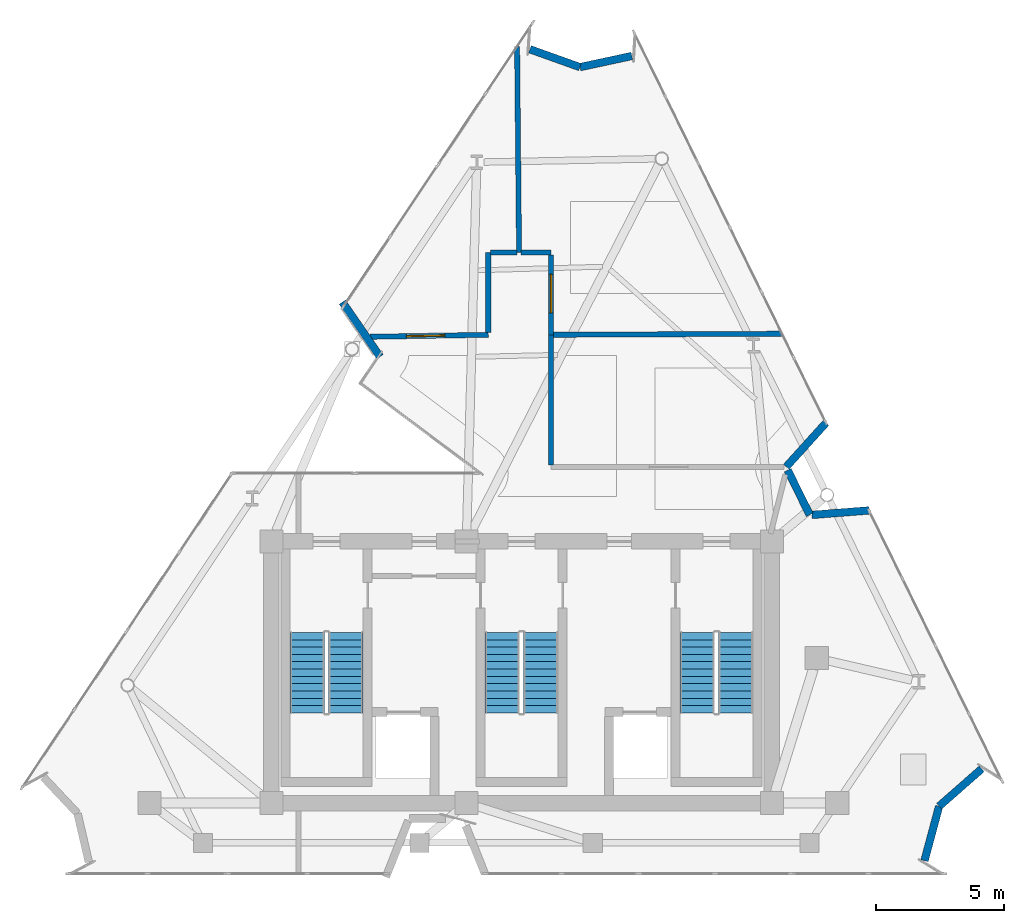
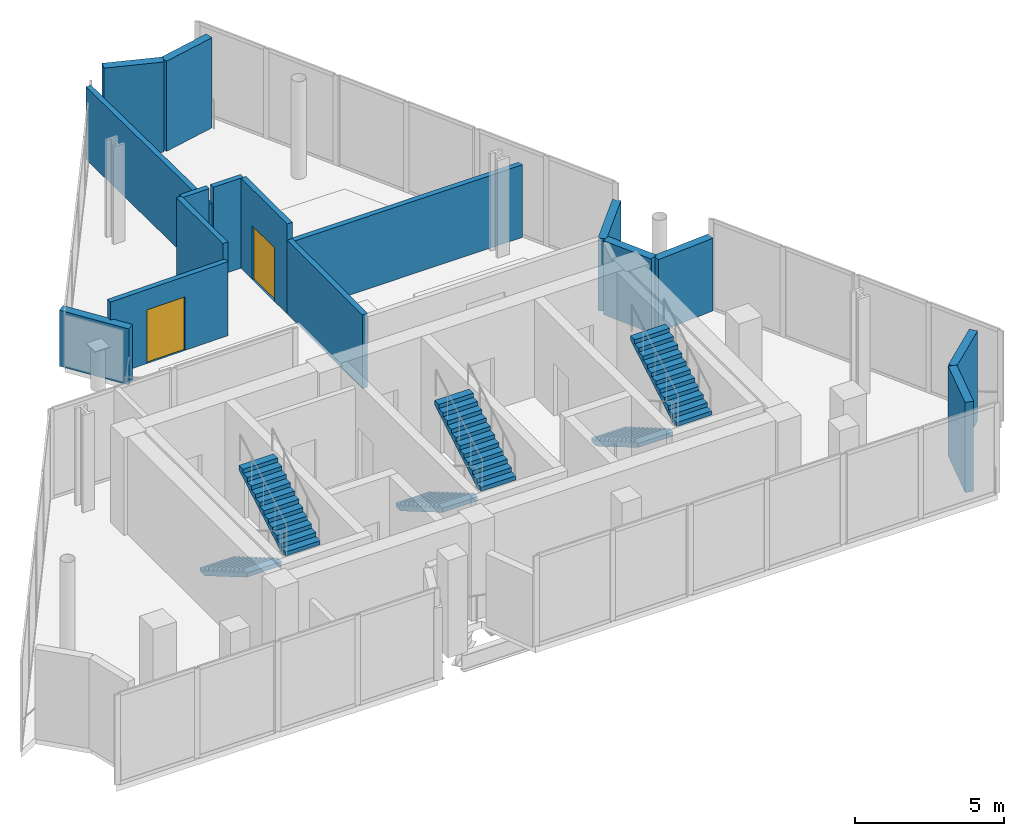
# One storey, part 7 of 9: 16 walls, 6 stair flights, 2 doors, 2 openings, 3 elements without a shape of their own.
"""IFC4 building model written with IfcOpenShell, lengths in metres."""

from ifc_helpers import new_model, si_unit, direction, frame, frame_2d, origin, place, context, subcontext, project, spatial, polyline, rectangle, outline, extrude, material, layer, layer_set, type_object, element, fill, aggregate, save


model = new_model("IFC4")

# Units and contexts
model_context = context("Model", 3, precision=1e-05, world=origin(), true_north=direction((0.0, 1.0)))
body_context = subcontext(model_context, "Body", "Model", "MODEL_VIEW")
ifc_project = project(units=[si_unit("LENGTHUNIT", "METRE"), si_unit("AREAUNIT", "SQUARE_METRE"), si_unit("VOLUMEUNIT", "CUBIC_METRE"), si_unit("PLANEANGLEUNIT", "RADIAN"), si_unit("MASSUNIT", "GRAM", prefix="KILO")], contexts=[model_context])

# Site, building, storey
site_placement = place(None, origin())
site = spatial("IfcSite", under=ifc_project, at=site_placement, CompositionType="ELEMENT")
building_placement = place(site_placement, origin())
building = spatial("IfcBuilding", under=site, at=building_placement, Name="Almagre Mirador Tower", CompositionType="ELEMENT")
storey_placement = place(building_placement, frame((0.0, 0.0, 314.5)))
storey = spatial("IfcBuildingStorey", under=building, at=storey_placement, Name="L81", CompositionType="ELEMENT", Elevation=314.5)

# Walls
ifc_material_1 = material(Name="Precast concrete C50/60", Category="concrete")
ifc_layer_1 = layer(ifc_material_1, 0.300048828125)
ifc_layer_set_1 = layer_set([ifc_layer_1], Name="Precast concrete C50/60")
wall_type_1 = type_object("IfcWallType", Name="WAL-EXT-300", PredefinedType="SOLIDWALL", material=ifc_layer_set_1)
wall_1_placement = place(storey_placement, frame((31.78271484375, 21.9453125, 0.0), z_axis=(0.0, 0.0, 1.0), x_axis=(-0.567505768613, 0.823369420486, 0.0)))
element("IfcWall", 1, at=wall_1_placement, inside=storey, type_object=wall_type_1, Name="L81 expressed almagre precast frame wall 01", PredefinedType="SOLIDWALL", context=body_context, shape_type="SweptSolid", body=[
    extrude(rectangle(XDim=2.586669921875, YDim=0.300048828125, at=frame_2d((1.29345703125, 0.0))), origin(), (0.0, 0.0, 1.0), 2.300048828125),
])
wall_2_placement = place(storey_placement, frame((37.6240234375, 33.927490234375, 0.0), z_axis=(0.0, 0.0, 1.0), x_axis=(0.941672407687, -0.336530944493, 0.0)))
element("IfcWall", 2, at=wall_2_placement, inside=storey, type_object=wall_type_1, Name="L81 expressed almagre precast frame wall 02", PredefinedType="SOLIDWALL", context=body_context, shape_type="SweptSolid", body=[
    extrude(rectangle(XDim=2.06689453125, YDim=0.300048828125, at=frame_2d((1.033447265625, 0.0))), origin(), (0.0, 0.0, 1.0), 3.699951171875),
])
wall_3_placement = place(storey_placement, frame((39.57568359375, 33.231689453125, 0.0), z_axis=(0.0, 0.0, 1.0), x_axis=(0.977608338725, 0.210432735227, 0.0)))
element("IfcWall", 3, at=wall_3_placement, inside=storey, type_object=wall_type_1, Name="L81 expressed almagre precast frame wall 03", PredefinedType="SOLIDWALL", context=body_context, shape_type="SweptSolid", body=[
    extrude(rectangle(XDim=2.06640625, YDim=0.300048828125, at=frame_2d((1.033203125, 0.0))), origin(), (0.0, 0.0, 1.0), 3.699951171875),
])
wall_4_placement = place(storey_placement, frame((49.160888671875, 19.36669921875, 0.0), z_axis=(0.0, 0.0, 1.0), x_axis=(-0.670816319877, -0.741623533193, 0.0)))
element("IfcWall", 4, at=wall_4_placement, inside=storey, type_object=wall_type_1, Name="L81 expressed almagre precast frame wall 04", PredefinedType="SOLIDWALL", context=body_context, shape_type="SweptSolid", body=[
    extrude(rectangle(XDim=2.306640625, YDim=0.300048828125, at=frame_2d((1.1533203125, 0.0))), origin(), (0.0, 0.0, 1.0), 2.98193359375),
])
wall_5_placement = place(storey_placement, frame((47.67138671875, 17.523681640625, 0.0), z_axis=(0.0, 0.0, 1.0), x_axis=(0.441367806259, -0.8973262838, 0.0)))
element("IfcWall", 5, at=wall_5_placement, inside=storey, type_object=wall_type_1, Name="L81 expressed almagre precast frame wall 05", PredefinedType="SOLIDWALL", context=body_context, shape_type="SweptSolid", body=[
    extrude(rectangle(XDim=1.94091796875, YDim=0.300048828125, at=frame_2d((0.970458984375, 0.0))), origin(), (0.0, 0.0, 1.0), 3.0400390625),
])
wall_6_placement = place(storey_placement, frame((48.612548828125, 15.782470703125, 0.0), z_axis=(0.0, 0.0, 1.0), x_axis=(0.996937541888, 0.078201902628, 0.0)))
element("IfcWall", 6, at=wall_6_placement, inside=storey, type_object=wall_type_1, Name="L81 expressed almagre precast frame wall 06", PredefinedType="SOLIDWALL", context=body_context, shape_type="SweptSolid", body=[
    extrude(rectangle(XDim=2.232177734375, YDim=0.300048828125, at=frame_2d((1.1162109375, 0.0))), origin(), (0.0, 0.0, 1.0), 2.98193359375),
])
wall_7_placement = place(storey_placement, frame((55.227294921875, 5.884033203125, 0.0), z_axis=(0.0, 0.0, 1.0), x_axis=(-0.751785184768, -0.659408095161, 0.0)))
element("IfcWall", 7, at=wall_7_placement, inside=storey, type_object=wall_type_1, Name="L81 expressed almagre precast frame wall 07", PredefinedType="SOLIDWALL", context=body_context, shape_type="SweptSolid", body=[
    extrude(rectangle(XDim=2.198974609375, YDim=0.300048828125, at=frame_2d((1.099609375, 0.0))), origin(), (0.0, 0.0, 1.0), 3.699951171875),
])
wall_8_placement = place(storey_placement, frame((53.5712890625, 4.42919921875, 0.0), z_axis=(0.0, 0.0, 1.0), x_axis=(-0.259846037112, -0.965650059285, 0.0)))
element("IfcWall", 8, at=wall_8_placement, inside=storey, type_object=wall_type_1, Name="L81 expressed almagre precast frame wall 08", PredefinedType="SOLIDWALL", context=body_context, shape_type="SweptSolid", body=[
    extrude(rectangle(XDim=2.198486328125, YDim=0.300048828125, at=frame_2d((1.09912109375, 0.0))), origin(), (0.0, 0.0, 1.0), 3.699951171875),
])
ifc_material_2 = material(Name="Gypsum acoustic stud partition", Category="other")
ifc_layer_2 = layer(ifc_material_2, 0.199951171875)
ifc_layer_set_2 = layer_set([ifc_layer_2], Name="Gypsum acoustic stud partition")
wall_type_2 = type_object("IfcWallType", Name="WAL-PRT-200-EI60", PredefinedType="PARTITIONING", material=ifc_layer_set_2)
wall_9_placement = place(storey_placement, frame((37.199951171875, 26.0, 0.0), z_axis=(0.0, 0.0, 1.0), x_axis=(-0.009442134329, 0.999955422056, 0.0)))
element("IfcWall", 9, at=wall_9_placement, inside=storey, type_object=wall_type_2, Name="L81 interior partition 003", PredefinedType="PARTITIONING", context=body_context, shape_type="SweptSolid", body=[
    extrude(rectangle(XDim=8.041259765625, YDim=0.199951171875, at=frame_2d((4.0205078125, 0.0))), origin(), (0.0, 0.0, 1.0), 2.97705078125),
])

# Wall, opening, door
wall_10_placement = place(storey_placement, frame((31.389892578125, 22.721923828125, 0.0), z_axis=(0.0, 0.0, 1.0), x_axis=(0.999856439671, 0.016944026939, 0.0)))
wall_10 = element("IfcWall", 10, at=wall_10_placement, inside=storey, type_object=wall_type_2, Name="L81 interior partition 004", PredefinedType="PARTITIONING", context=body_context, shape_type="SweptSolid", body=[
    extrude(rectangle(XDim=4.61083984375, YDim=0.199951171875, at=frame_2d((2.305419921875, 0.0))), origin(), (0.0, 0.0, 1.0), 3.034912109375),
])
opening_1_placement = place(wall_10_placement, frame((1.423828125, 0.0, 0.0)))
opening_1 = element("IfcOpeningElement", 11, at=opening_1_placement, cuts=wall_10, Name="Opening ID-04", PredefinedType="OPENING", context=body_context, shape_type="SweptSolid", body=[
    extrude(rectangle(XDim=1.5, YDim=2.199951171875, at=frame_2d((0.75, 1.10009765625))), frame((0.0, 0.110098, 0.0), z_axis=(0.0, -1.0, 0.0), x_axis=(1.0, 0.0, 0.0)), (0.0, 0.0, 1.0), 0.219951),
])
ifc_material_3 = material(Name="Fire-rated hollow steel", Category="steel")
door_type = type_object("IfcDoorType", Name="DOR-FD60-1500X2200", OperationType="DOUBLE_DOOR_SINGLE_SWING", PredefinedType="DOOR", material=ifc_material_3)
door_1_placement = place(opening_1_placement, origin())
door_1 = element("IfcDoor", 12, at=door_1_placement, inside=storey, type_object=door_type, Name="DR-2360 L81 interior door L81-KPLT2 to L81-KCOR", OperationType="DOUBLE_DOOR_SINGLE_SWING", OverallHeight=2.199951171875, OverallWidth=1.5, PredefinedType="DOOR", context=body_context, shape_type="SweptSolid", body=[
    extrude(rectangle(XDim=1.5, YDim=2.199951171875, at=frame_2d((0.75, 1.10009765625))), frame((0.0, 0.02490234375, 0.0), z_axis=(0.0, -1.0, 0.0), x_axis=(1.0, 0.0, 0.0)), (0.0, 0.0, 1.0), 0.050048828125),
])
fill(opening_1, door_1)

# Walls
wall_11_placement = place(storey_placement, frame((36.0, 22.885009765625, 0.0), z_axis=(0.0, 0.0, 1.0), x_axis=(0.0, 1.0, 0.0)))
element("IfcWall", 13, at=wall_11_placement, inside=storey, type_object=wall_type_2, Name="L81 interior partition 005", PredefinedType="PARTITIONING", context=body_context, shape_type="SweptSolid", body=[
    extrude(rectangle(XDim=3.114990234375, YDim=0.199951171875, at=frame_2d((1.5576171875, 0.0))), origin(), (0.0, 0.0, 1.0), 3.699951171875),
])
wall_12_placement = place(storey_placement, frame((36.0849609375, 26.0, 0.0), z_axis=(0.0, 0.0, 1.0), x_axis=(1.0, 0.0, 0.0)))
element("IfcWall", 14, at=wall_12_placement, inside=storey, type_object=wall_type_2, Name="L81 interior partition 006", PredefinedType="PARTITIONING", context=body_context, shape_type="SweptSolid", body=[
    extrude(rectangle(XDim=1.030029296875, YDim=0.199951171875, at=frame_2d((0.51513671875, 0.0))), origin(), (0.0, 0.0, 1.0), 3.699951171875),
])
wall_13_placement = place(storey_placement, frame((37.284912109375, 26.0, 0.0), z_axis=(0.0, 0.0, 1.0), x_axis=(1.0, 0.0, 0.0)))
element("IfcWall", 15, at=wall_13_placement, inside=storey, type_object=wall_type_2, Name="L81 interior partition 007", PredefinedType="PARTITIONING", context=body_context, shape_type="SweptSolid", body=[
    extrude(rectangle(XDim=1.1650390625, YDim=0.199951171875, at=frame_2d((0.58251953125, 0.0))), origin(), (0.0, 0.0, 1.0), 3.699951171875),
])

# Wall, opening, door
wall_14_placement = place(storey_placement, frame((38.449951171875, 25.9150390625, 0.0), z_axis=(0.0, 0.0, 1.0), x_axis=(0.0, -1.0, 0.0)))
wall_14 = element("IfcWall", 16, at=wall_14_placement, inside=storey, type_object=wall_type_2, Name="L81 interior partition 008", PredefinedType="PARTITIONING", context=body_context, shape_type="SweptSolid", body=[
    extrude(rectangle(XDim=3.114990234375, YDim=0.199951171875, at=frame_2d((1.5576171875, 0.0))), origin(), (0.0, 0.0, 1.0), 3.699951171875),
])
opening_2_placement = place(wall_14_placement, frame((0.764892578125, 0.0, 0.0)))
opening_2 = element("IfcOpeningElement", 17, at=opening_2_placement, cuts=wall_14, Name="Opening ID-04", PredefinedType="OPENING", context=body_context, shape_type="SweptSolid", body=[
    extrude(rectangle(XDim=1.5, YDim=2.199951171875, at=frame_2d((0.75, 1.10009765625))), frame((0.0, 0.110098, 0.0), z_axis=(0.0, -1.0, 0.0), x_axis=(1.0, 0.0, 0.0)), (0.0, 0.0, 1.0), 0.219951),
])
door_2_placement = place(opening_2_placement, origin())
door_2 = element("IfcDoor", 18, at=door_2_placement, inside=storey, type_object=door_type, Name="DR-2361 L81 interior door L81-KPLT3 to L81-KCOR", OperationType="DOUBLE_DOOR_SINGLE_SWING", OverallHeight=2.199951171875, OverallWidth=1.5, PredefinedType="DOOR", context=body_context, shape_type="SweptSolid", body=[
    extrude(rectangle(XDim=1.5, YDim=2.199951171875, at=frame_2d((0.75, 1.10009765625))), frame((0.0, 0.02490234375, 0.0), z_axis=(0.0, -1.0, 0.0), x_axis=(1.0, 0.0, 0.0)), (0.0, 0.0, 1.0), 0.050048828125),
])
fill(opening_2, door_2)

# Walls
wall_15_placement = place(storey_placement, frame((38.534912109375, 22.80029296875, 0.0), z_axis=(0.0, 0.0, 1.0), x_axis=(0.999989549325, 0.004571787526, 0.0)))
element("IfcWall", 19, at=wall_15_placement, inside=storey, type_object=wall_type_2, Name="L81 interior partition 009", PredefinedType="PARTITIONING", context=body_context, shape_type="SweptSolid", body=[
    extrude(rectangle(XDim=8.91796875, YDim=0.199951171875, at=frame_2d((4.458984375, 0.0))), origin(), (0.0, 0.0, 1.0), 2.97705078125),
])
wall_16_placement = place(storey_placement, frame((38.449951171875, 17.735107421875, 0.0), z_axis=(0.0, 0.0, 1.0), x_axis=(0.0, 1.0, 0.0)))
element("IfcWall", 20, at=wall_16_placement, inside=storey, type_object=wall_type_2, Name="L81 interior partition 013", PredefinedType="PARTITIONING", context=body_context, shape_type="SweptSolid", body=[
    extrude(rectangle(XDim=5.06494140625, YDim=0.199951171875, at=frame_2d((2.532470703125, 0.0))), origin(), (0.0, 0.0, 1.0), 3.034912109375),
])

# Stair, stair flights
ifc_material_4 = material(Name="Concrete C45/55", Category="concrete")
stair_type = type_object("IfcStairType", Name="STR-DL-4000", PredefinedType="HALF_TURN_STAIR", material=ifc_material_4)
stair_1_placement = place(storey_placement, origin())
stair_1 = element("IfcStair", 21, at=stair_1_placement, inside=storey, type_object=stair_type, Name="L81 Protected exit stair ST-1", PredefinedType="HALF_TURN_STAIR")
ifc_material_5 = material(Name="Concrete C45/55", Category="concrete")
stair_flight_type = type_object("IfcStairFlightType", Name="FLT-DL-4000", PredefinedType="STRAIGHT", material=ifc_material_5)
stair_flight_1_placement = place(storey_placement, frame((28.949951171875, 11.199951171875, 0.0), z_axis=(0.0, 0.0, 1.0), x_axis=(0.0, -1.0, 0.0)))
stair_flight_1 = element("IfcStairFlight", 22, at=stair_flight_1_placement, type_object=stair_flight_type, Name="ST-1 flight 1", NumberOfRisers=12, NumberOfTreads=11, PredefinedType="STRAIGHT", RiserHeight=0.166666667, TreadLength=0.285, context=body_context, shape_type="SweptSolid", body=[
    extrude(outline(polyline([(0.0, 0.0), (0.0, 0.166748046875), (0.284912109375, 0.166748046875), (0.284912109375, 0.333251953125), (0.570068359375, 0.333251953125), (0.570068359375, 0.5), (0.85498046875, 0.5), (0.85498046875, 0.666748046875), (1.139892578125, 0.666748046875), (1.139892578125, 0.833251953125), (1.425048828125, 0.833251953125), (1.425048828125, 1.0), (1.7099609375, 1.0), (1.7099609375, 1.166748046875), (1.9951171875, 1.166748046875), (1.9951171875, 1.333251953125), (2.280029296875, 1.333251953125), (2.280029296875, 1.5), (2.56494140625, 1.5), (2.56494140625, 1.666748046875), (2.85009765625, 1.666748046875), (2.85009765625, 1.833251953125), (3.135009765625, 1.833251953125), (3.135009765625, 2.0), (3.135009765625, 1.65966796875), (0.296875, 0.0), (0.0, 0.0)])), frame((0.0, 0.675048828125, 0.0), z_axis=(0.0, -1.0, 0.0), x_axis=(1.0, 0.0, 0.0)), (0.0, 0.0, 1.0), 1.35009765625),
])
stair_flight_2_placement = place(storey_placement, frame((30.449951171875, 8.06494140625, 2.0), z_axis=(0.0, 0.0, 1.0), x_axis=(0.0, 1.0, 0.0)))
stair_flight_2 = element("IfcStairFlight", 23, at=stair_flight_2_placement, type_object=stair_flight_type, Name="ST-1 flight 2", NumberOfRisers=12, NumberOfTreads=11, PredefinedType="STRAIGHT", RiserHeight=0.166666667, TreadLength=0.285, context=body_context, shape_type="SweptSolid", body=[
    extrude(outline(polyline([(0.0, 0.0), (0.0, 0.166748046875), (0.284912109375, 0.166748046875), (0.284912109375, 0.333251953125), (0.570068359375, 0.333251953125), (0.570068359375, 0.5), (0.85498046875, 0.5), (0.85498046875, 0.666748046875), (1.139892578125, 0.666748046875), (1.139892578125, 0.833251953125), (1.425048828125, 0.833251953125), (1.425048828125, 1.0), (1.7099609375, 1.0), (1.7099609375, 1.166748046875), (1.9951171875, 1.166748046875), (1.9951171875, 1.333251953125), (2.280029296875, 1.333251953125), (2.280029296875, 1.5), (2.56494140625, 1.5), (2.56494140625, 1.666748046875), (2.85009765625, 1.666748046875), (2.85009765625, 1.833251953125), (3.135009765625, 1.833251953125), (3.135009765625, 2.0), (3.135009765625, 1.65966796875), (0.296875, 0.0), (0.0, 0.0)])), frame((0.0, 0.675048828125, 0.0), z_axis=(0.0, -1.0, 0.0), x_axis=(1.0, 0.0, 0.0)), (0.0, 0.0, 1.0), 1.35009765625),
])
aggregate(stair_1, [stair_flight_1, stair_flight_2])

stair_2_placement = place(storey_placement, origin())
stair_2 = element("IfcStair", 24, at=stair_2_placement, inside=storey, type_object=stair_type, Name="L81 Protected exit stair ST-2", PredefinedType="HALF_TURN_STAIR")
stair_flight_3_placement = place(storey_placement, frame((36.550048828125, 11.199951171875, 0.0), z_axis=(0.0, 0.0, 1.0), x_axis=(0.0, -1.0, 0.0)))
stair_flight_3 = element("IfcStairFlight", 25, at=stair_flight_3_placement, type_object=stair_flight_type, Name="ST-2 flight 1", NumberOfRisers=12, NumberOfTreads=11, PredefinedType="STRAIGHT", RiserHeight=0.166666667, TreadLength=0.285, context=body_context, shape_type="SweptSolid", body=[
    extrude(outline(polyline([(0.0, 0.0), (0.0, 0.166748046875), (0.284912109375, 0.166748046875), (0.284912109375, 0.333251953125), (0.570068359375, 0.333251953125), (0.570068359375, 0.5), (0.85498046875, 0.5), (0.85498046875, 0.666748046875), (1.139892578125, 0.666748046875), (1.139892578125, 0.833251953125), (1.425048828125, 0.833251953125), (1.425048828125, 1.0), (1.7099609375, 1.0), (1.7099609375, 1.166748046875), (1.9951171875, 1.166748046875), (1.9951171875, 1.333251953125), (2.280029296875, 1.333251953125), (2.280029296875, 1.5), (2.56494140625, 1.5), (2.56494140625, 1.666748046875), (2.85009765625, 1.666748046875), (2.85009765625, 1.833251953125), (3.135009765625, 1.833251953125), (3.135009765625, 2.0), (3.135009765625, 1.65966796875), (0.296875, 0.0), (0.0, 0.0)])), frame((0.0, 0.675048828125, 0.0), z_axis=(0.0, -1.0, 0.0), x_axis=(1.0, 0.0, 0.0)), (0.0, 0.0, 1.0), 1.35009765625),
])
stair_flight_4_placement = place(storey_placement, frame((38.050048828125, 8.06494140625, 2.0), z_axis=(0.0, 0.0, 1.0), x_axis=(0.0, 1.0, 0.0)))
stair_flight_4 = element("IfcStairFlight", 26, at=stair_flight_4_placement, type_object=stair_flight_type, Name="ST-2 flight 2", NumberOfRisers=12, NumberOfTreads=11, PredefinedType="STRAIGHT", RiserHeight=0.166666667, TreadLength=0.285, context=body_context, shape_type="SweptSolid", body=[
    extrude(outline(polyline([(0.0, 0.0), (0.0, 0.166748046875), (0.284912109375, 0.166748046875), (0.284912109375, 0.333251953125), (0.570068359375, 0.333251953125), (0.570068359375, 0.5), (0.85498046875, 0.5), (0.85498046875, 0.666748046875), (1.139892578125, 0.666748046875), (1.139892578125, 0.833251953125), (1.425048828125, 0.833251953125), (1.425048828125, 1.0), (1.7099609375, 1.0), (1.7099609375, 1.166748046875), (1.9951171875, 1.166748046875), (1.9951171875, 1.333251953125), (2.280029296875, 1.333251953125), (2.280029296875, 1.5), (2.56494140625, 1.5), (2.56494140625, 1.666748046875), (2.85009765625, 1.666748046875), (2.85009765625, 1.833251953125), (3.135009765625, 1.833251953125), (3.135009765625, 2.0), (3.135009765625, 1.65966796875), (0.296875, 0.0), (0.0, 0.0)])), frame((0.0, 0.675048828125, 0.0), z_axis=(0.0, -1.0, 0.0), x_axis=(1.0, 0.0, 0.0)), (0.0, 0.0, 1.0), 1.35009765625),
])
aggregate(stair_2, [stair_flight_3, stair_flight_4])

stair_3_placement = place(storey_placement, origin())
stair_3 = element("IfcStair", 27, at=stair_3_placement, inside=storey, type_object=stair_type, Name="L81 Protected exit stair ST-3", PredefinedType="HALF_TURN_STAIR")
stair_flight_5_placement = place(storey_placement, frame((44.14990234375, 11.199951171875, 0.0), z_axis=(0.0, 0.0, 1.0), x_axis=(0.0, -1.0, 0.0)))
stair_flight_5 = element("IfcStairFlight", 28, at=stair_flight_5_placement, type_object=stair_flight_type, Name="ST-3 flight 1", NumberOfRisers=12, NumberOfTreads=11, PredefinedType="STRAIGHT", RiserHeight=0.166666667, TreadLength=0.285, context=body_context, shape_type="SweptSolid", body=[
    extrude(outline(polyline([(0.0, 0.0), (0.0, 0.166748046875), (0.284912109375, 0.166748046875), (0.284912109375, 0.333251953125), (0.570068359375, 0.333251953125), (0.570068359375, 0.5), (0.85498046875, 0.5), (0.85498046875, 0.666748046875), (1.139892578125, 0.666748046875), (1.139892578125, 0.833251953125), (1.425048828125, 0.833251953125), (1.425048828125, 1.0), (1.7099609375, 1.0), (1.7099609375, 1.166748046875), (1.9951171875, 1.166748046875), (1.9951171875, 1.333251953125), (2.280029296875, 1.333251953125), (2.280029296875, 1.5), (2.56494140625, 1.5), (2.56494140625, 1.666748046875), (2.85009765625, 1.666748046875), (2.85009765625, 1.833251953125), (3.135009765625, 1.833251953125), (3.135009765625, 2.0), (3.135009765625, 1.65966796875), (0.296875, 0.0), (0.0, 0.0)])), frame((0.0, 0.675048828125, 0.0), z_axis=(0.0, -1.0, 0.0), x_axis=(1.0, 0.0, 0.0)), (0.0, 0.0, 1.0), 1.35009765625),
])
stair_flight_6_placement = place(storey_placement, frame((45.64990234375, 8.06494140625, 2.0), z_axis=(0.0, 0.0, 1.0), x_axis=(0.0, 1.0, 0.0)))
stair_flight_6 = element("IfcStairFlight", 29, at=stair_flight_6_placement, type_object=stair_flight_type, Name="ST-3 flight 2", NumberOfRisers=12, NumberOfTreads=11, PredefinedType="STRAIGHT", RiserHeight=0.166666667, TreadLength=0.285, context=body_context, shape_type="SweptSolid", body=[
    extrude(outline(polyline([(0.0, 0.0), (0.0, 0.166748046875), (0.284912109375, 0.166748046875), (0.284912109375, 0.333251953125), (0.570068359375, 0.333251953125), (0.570068359375, 0.5), (0.85498046875, 0.5), (0.85498046875, 0.666748046875), (1.139892578125, 0.666748046875), (1.139892578125, 0.833251953125), (1.425048828125, 0.833251953125), (1.425048828125, 1.0), (1.7099609375, 1.0), (1.7099609375, 1.166748046875), (1.9951171875, 1.166748046875), (1.9951171875, 1.333251953125), (2.280029296875, 1.333251953125), (2.280029296875, 1.5), (2.56494140625, 1.5), (2.56494140625, 1.666748046875), (2.85009765625, 1.666748046875), (2.85009765625, 1.833251953125), (3.135009765625, 1.833251953125), (3.135009765625, 2.0), (3.135009765625, 1.65966796875), (0.296875, 0.0), (0.0, 0.0)])), frame((0.0, 0.675048828125, 0.0), z_axis=(0.0, -1.0, 0.0), x_axis=(1.0, 0.0, 0.0)), (0.0, 0.0, 1.0), 1.35009765625),
])
aggregate(stair_3, [stair_flight_5, stair_flight_6])

save(model, "model.ifc")
